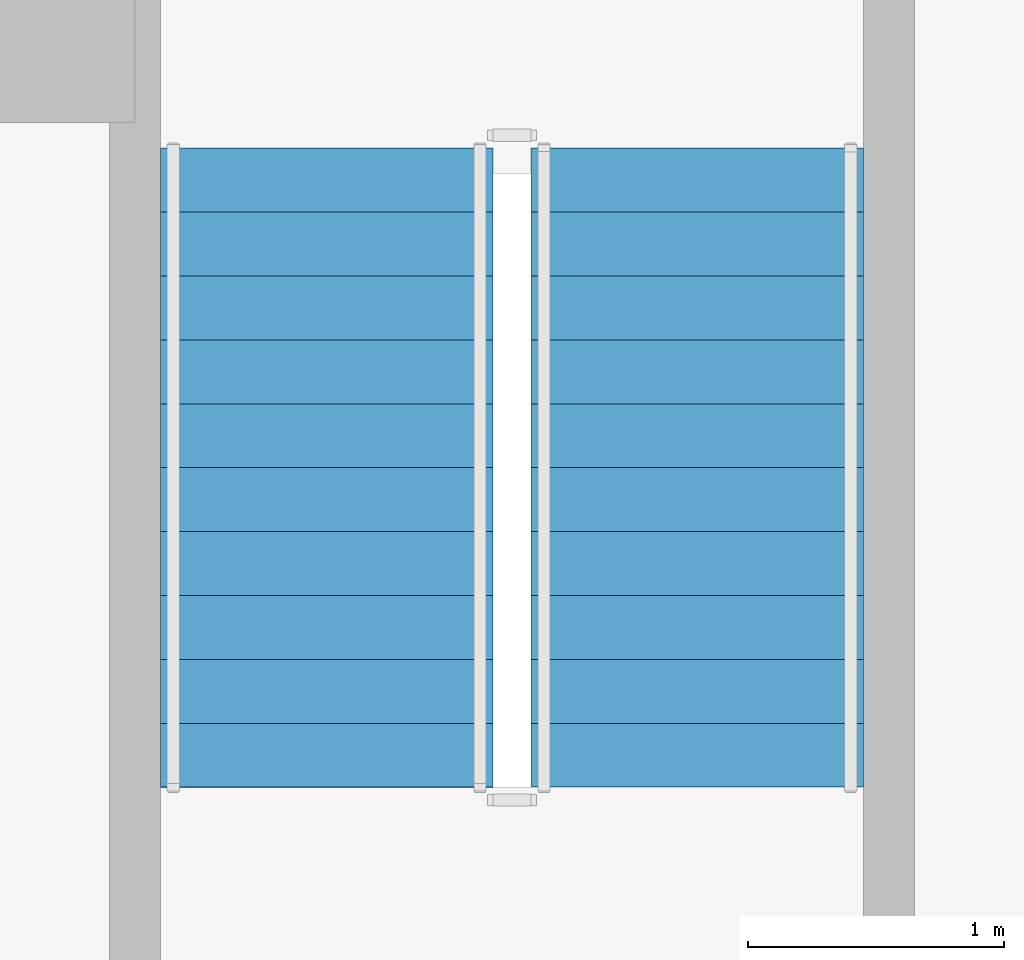
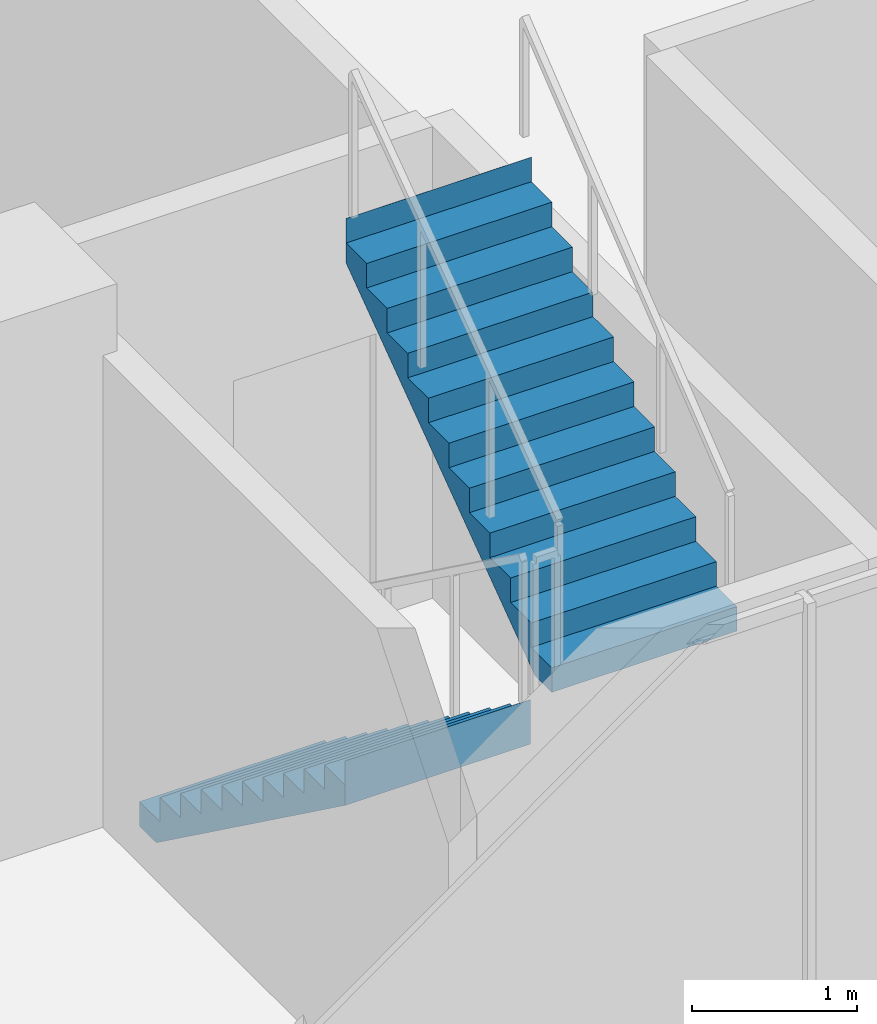
# One storey, part 22 of 45: 2 stair flights, 1 element without a shape of its own.
"""IFC4 building model written with IfcOpenShell, lengths in metres."""

from ifc_helpers import new_model, si_unit, direction, frame, origin, place, context, subcontext, project, spatial, triangles, material, type_object, element, aggregate, save


model = new_model("IFC4")

# Units and contexts
model_context = context("Model", 3, precision=1e-05, world=origin(), true_north=direction((0.0, 1.0)))
body_context = subcontext(model_context, "Body", "Model", "MODEL_VIEW")
ifc_project = project(units=[si_unit("LENGTHUNIT", "METRE"), si_unit("AREAUNIT", "SQUARE_METRE"), si_unit("VOLUMEUNIT", "CUBIC_METRE"), si_unit("PLANEANGLEUNIT", "RADIAN"), si_unit("MASSUNIT", "GRAM", prefix="KILO")], contexts=[model_context])

# Site, building, storey
site_placement = place(None, origin())
site = spatial("IfcSite", under=ifc_project, at=site_placement, CompositionType="ELEMENT")
building_placement = place(site_placement, origin())
building = spatial("IfcBuilding", under=site, at=building_placement, Name="Beryl Residences", CompositionType="ELEMENT")
storey_placement = place(building_placement, frame((0.0, 0.0, 5.0)))
storey = spatial("IfcBuildingStorey", under=building, at=storey_placement, Name="L01", CompositionType="ELEMENT", Elevation=5.0)

# Stair, stair flights
ifc_material_1 = material(Name="Concrete C40/50", Category="concrete")
stair_type = type_object("IfcStairType", Name="ST1 protected exit stair, half-turn, 1300 mm flights", PredefinedType="HALF_TURN_STAIR", material=ifc_material_1)
stair_placement = place(storey_placement, origin())
stair = element("IfcStair", 1, at=stair_placement, inside=storey, type_object=stair_type, Name="L01 Podium exit stair 4", PredefinedType="HALF_TURN_STAIR")
ifc_material_2 = material(Name="Concrete C40/50", Category="concrete")
stair_flight_type = type_object("IfcStairFlightType", Name="SF1 stair flight 1300 mm", PredefinedType="STRAIGHT", material=ifc_material_2)
stair_flight_1_placement = place(storey_placement, frame((-41.949951171875, -27.60009765625, 0.0), z_axis=(0.0, 0.0, 1.0), x_axis=(0.0, -1.0, 0.0)))
stair_flight_1 = element("IfcStairFlight", 2, at=stair_flight_1_placement, type_object=stair_flight_type, Name="PS-4 flight 1", NumberOfRisers=11, NumberOfTreads=10, PredefinedType="STRAIGHT", RiserHeight=0.181818182, TreadLength=0.25, context=body_context, shape_type="Tessellation", body=[
    triangles([(0.0, -0.64990234375, 0.0), (0.0, -0.324951171875, 0.0), (0.0, 0.0, 0.0), (0.0, 0.324951171875, 0.0), (0.0, 0.64990234375, 0.0), (0.0, -0.64990234375, 0.181884765625), (0.0, -0.324951171875, 0.181884765625), (0.0, 0.0, 0.181884765625), (0.0, 0.324951171875, 0.181884765625), (0.0, 0.64990234375, 0.181884765625), (0.25, -0.64990234375, 0.181884765625), (0.25, -0.324951171875, 0.181884765625), (0.25, 0.0, 0.181884765625), (0.25, 0.324951171875, 0.181884765625), (0.25, 0.64990234375, 0.181884765625), (0.25, -0.64990234375, 0.363525390625), (0.25, -0.324951171875, 0.363525390625), (0.25, 0.0, 0.363525390625), (0.25, 0.324951171875, 0.363525390625), (0.25, 0.64990234375, 0.363525390625), (0.5, -0.64990234375, 0.363525390625), (0.5, -0.324951171875, 0.363525390625), (0.5, 0.0, 0.363525390625), (0.5, 0.324951171875, 0.363525390625), (0.5, 0.64990234375, 0.363525390625), (0.5, -0.64990234375, 0.54541015625), (0.5, -0.324951171875, 0.54541015625), (0.5, 0.0, 0.54541015625), (0.5, 0.324951171875, 0.54541015625), (0.5, 0.64990234375, 0.54541015625), (0.75, -0.64990234375, 0.54541015625), (0.75, -0.324951171875, 0.54541015625), (0.75, 0.0, 0.54541015625), (0.75, 0.324951171875, 0.54541015625), (0.75, 0.64990234375, 0.54541015625), (0.75, -0.64990234375, 0.727294921875), (0.75, -0.324951171875, 0.727294921875), (0.75, 0.0, 0.727294921875), (0.75, 0.324951171875, 0.727294921875), (0.75, 0.64990234375, 0.727294921875), (1.0, -0.64990234375, 0.727294921875), (1.0, -0.324951171875, 0.727294921875), (1.0, 0.0, 0.727294921875), (1.0, 0.324951171875, 0.727294921875), (1.0, 0.64990234375, 0.727294921875), (1.0, -0.64990234375, 0.9091796875), (1.0, -0.324951171875, 0.9091796875), (1.0, 0.0, 0.9091796875), (1.0, 0.324951171875, 0.9091796875), (1.0, 0.64990234375, 0.9091796875), (1.25, -0.64990234375, 0.9091796875), (1.25, -0.324951171875, 0.9091796875), (1.25, 0.0, 0.9091796875), (1.25, 0.324951171875, 0.9091796875), (1.25, 0.64990234375, 0.9091796875), (1.25, -0.64990234375, 1.0908203125), (1.25, -0.324951171875, 1.0908203125), (1.25, 0.0, 1.0908203125), (1.25, 0.324951171875, 1.0908203125), (1.25, 0.64990234375, 1.0908203125), (1.5, -0.64990234375, 1.0908203125), (1.5, -0.324951171875, 1.0908203125), (1.5, 0.0, 1.0908203125), (1.5, 0.324951171875, 1.0908203125), (1.5, 0.64990234375, 1.0908203125), (1.5, -0.64990234375, 1.272705078125), (1.5, -0.324951171875, 1.272705078125), (1.5, 0.0, 1.272705078125), (1.5, 0.324951171875, 1.272705078125), (1.5, 0.64990234375, 1.272705078125), (1.75, -0.64990234375, 1.272705078125), (1.75, -0.324951171875, 1.272705078125), (1.75, 0.0, 1.272705078125), (1.75, 0.324951171875, 1.272705078125), (1.75, 0.64990234375, 1.272705078125), (1.75, -0.64990234375, 1.45458984375), (1.75, -0.324951171875, 1.45458984375), (1.75, 0.0, 1.45458984375), (1.75, 0.324951171875, 1.45458984375), (1.75, 0.64990234375, 1.45458984375), (2.0, -0.64990234375, 1.45458984375), (2.0, -0.324951171875, 1.45458984375), (2.0, 0.0, 1.45458984375), (2.0, 0.324951171875, 1.45458984375), (2.0, 0.64990234375, 1.45458984375), (2.0, -0.64990234375, 1.636474609375), (2.0, -0.324951171875, 1.636474609375), (2.0, 0.0, 1.636474609375), (2.0, 0.324951171875, 1.636474609375), (2.0, 0.64990234375, 1.636474609375), (2.25, -0.64990234375, 1.636474609375), (2.25, -0.324951171875, 1.636474609375), (2.25, 0.0, 1.636474609375), (2.25, 0.324951171875, 1.636474609375), (2.25, 0.64990234375, 1.636474609375), (2.25, -0.64990234375, 1.818115234375), (2.25, -0.324951171875, 1.818115234375), (2.25, 0.0, 1.818115234375), (2.25, 0.324951171875, 1.818115234375), (2.25, 0.64990234375, 1.818115234375), (2.5, -0.64990234375, 1.818115234375), (2.5, -0.324951171875, 1.818115234375), (2.5, 0.0, 1.818115234375), (2.5, 0.324951171875, 1.818115234375), (2.5, 0.64990234375, 1.818115234375), (2.5, -0.64990234375, 2.0), (2.5, -0.324951171875, 2.0), (2.5, 0.0, 2.0), (2.5, 0.324951171875, 2.0), (2.5, 0.64990234375, 2.0), (2.5009765625, -0.64990234375, 2.0), (2.5009765625, -0.324951171875, 2.0), (2.5009765625, 0.0, 2.0), (2.5009765625, 0.324951171875, 2.0), (2.5009765625, 0.64990234375, 2.0), (2.5009765625, -0.64990234375, 1.669677734375), (2.5009765625, -0.324951171875, 1.669677734375), (2.5009765625, 0.0, 1.669677734375), (2.5009765625, 0.324951171875, 1.669677734375), (2.5009765625, 0.64990234375, 1.669677734375), (0.205078125, -0.64990234375, 0.0), (0.205078125, -0.324951171875, 0.0), (0.205078125, 0.0, 0.0), (0.205078125, 0.324951171875, 0.0), (0.205078125, 0.64990234375, 0.0)], [[1, 6, 7], [1, 7, 2], [2, 7, 8], [2, 8, 3], [3, 8, 9], [3, 9, 4], [4, 9, 10], [4, 10, 5], [6, 11, 12], [6, 12, 7], [7, 12, 13], [7, 13, 8], [8, 13, 14], [8, 14, 9], [9, 14, 15], [9, 15, 10], [11, 16, 17], [11, 17, 12], [12, 17, 18], [12, 18, 13], [13, 18, 19], [13, 19, 14], [14, 19, 20], [14, 20, 15], [16, 21, 22], [16, 22, 17], [17, 22, 23], [17, 23, 18], [18, 23, 24], [18, 24, 19], [19, 24, 25], [19, 25, 20], [21, 26, 27], [21, 27, 22], [22, 27, 28], [22, 28, 23], [23, 28, 29], [23, 29, 24], [24, 29, 30], [24, 30, 25], [26, 31, 32], [26, 32, 27], [27, 32, 33], [27, 33, 28], [28, 33, 34], [28, 34, 29], [29, 34, 35], [29, 35, 30], [31, 36, 37], [31, 37, 32], [32, 37, 38], [32, 38, 33], [33, 38, 39], [33, 39, 34], [34, 39, 40], [34, 40, 35], [36, 41, 42], [36, 42, 37], [37, 42, 43], [37, 43, 38], [38, 43, 44], [38, 44, 39], [39, 44, 45], [39, 45, 40], [41, 46, 47], [41, 47, 42], [42, 47, 48], [42, 48, 43], [43, 48, 49], [43, 49, 44], [44, 49, 50], [44, 50, 45], [46, 51, 52], [46, 52, 47], [47, 52, 53], [47, 53, 48], [48, 53, 54], [48, 54, 49], [49, 54, 55], [49, 55, 50], [51, 56, 57], [51, 57, 52], [52, 57, 58], [52, 58, 53], [53, 58, 59], [53, 59, 54], [54, 59, 60], [54, 60, 55], [56, 61, 62], [56, 62, 57], [57, 62, 63], [57, 63, 58], [58, 63, 64], [58, 64, 59], [59, 64, 65], [59, 65, 60], [61, 66, 67], [61, 67, 62], [62, 67, 68], [62, 68, 63], [63, 68, 69], [63, 69, 64], [64, 69, 70], [64, 70, 65], [66, 71, 72], [66, 72, 67], [67, 72, 73], [67, 73, 68], [68, 73, 74], [68, 74, 69], [69, 74, 75], [69, 75, 70], [71, 76, 77], [71, 77, 72], [72, 77, 78], [72, 78, 73], [73, 78, 79], [73, 79, 74], [74, 79, 80], [74, 80, 75], [76, 81, 82], [76, 82, 77], [77, 82, 83], [77, 83, 78], [78, 83, 84], [78, 84, 79], [79, 84, 85], [79, 85, 80], [81, 86, 87], [81, 87, 82], [82, 87, 88], [82, 88, 83], [83, 88, 89], [83, 89, 84], [84, 89, 90], [84, 90, 85], [86, 91, 92], [86, 92, 87], [87, 92, 93], [87, 93, 88], [88, 93, 94], [88, 94, 89], [89, 94, 95], [89, 95, 90], [91, 96, 97], [91, 97, 92], [92, 97, 98], [92, 98, 93], [93, 98, 99], [93, 99, 94], [94, 99, 100], [94, 100, 95], [96, 101, 102], [96, 102, 97], [97, 102, 103], [97, 103, 98], [98, 103, 104], [98, 104, 99], [99, 104, 105], [99, 105, 100], [101, 106, 107], [101, 107, 102], [102, 107, 108], [102, 108, 103], [103, 108, 109], [103, 109, 104], [104, 109, 110], [104, 110, 105], [106, 111, 112], [106, 112, 107], [107, 112, 113], [107, 113, 108], [108, 113, 114], [108, 114, 109], [109, 114, 115], [109, 115, 110], [111, 116, 117], [111, 117, 112], [112, 117, 118], [112, 118, 113], [113, 118, 119], [113, 119, 114], [114, 119, 120], [114, 120, 115], [116, 121, 122], [116, 122, 117], [117, 122, 123], [117, 123, 118], [118, 123, 124], [118, 124, 119], [119, 124, 125], [119, 125, 120], [121, 1, 2], [121, 2, 122], [122, 2, 3], [122, 3, 123], [123, 3, 4], [123, 4, 124], [124, 4, 5], [124, 5, 125], [1, 121, 116], [5, 120, 125], [116, 111, 106], [120, 110, 115], [116, 106, 101], [120, 105, 110], [116, 101, 96], [120, 100, 105], [116, 96, 91], [120, 95, 100], [91, 86, 81], [95, 85, 90], [116, 91, 81], [120, 85, 95], [81, 76, 71], [85, 75, 80], [116, 81, 71], [120, 75, 85], [71, 66, 61], [75, 65, 70], [116, 71, 61], [120, 65, 75], [61, 56, 51], [65, 55, 60], [116, 61, 51], [120, 55, 65], [51, 46, 41], [55, 45, 50], [116, 51, 41], [120, 45, 55], [41, 36, 31], [45, 35, 40], [116, 41, 31], [120, 35, 45], [31, 26, 21], [35, 25, 30], [116, 31, 21], [120, 25, 35], [1, 116, 21], [5, 25, 120], [21, 16, 11], [25, 15, 20], [1, 21, 11], [5, 15, 25], [11, 6, 1], [15, 5, 10]], closed=True),
])
stair_flight_2_placement = place(storey_placement, frame((-40.5, -30.10009765625, 2.0), z_axis=(0.0, 0.0, 1.0), x_axis=(0.0, 1.0, 0.0)))
stair_flight_2 = element("IfcStairFlight", 3, at=stair_flight_2_placement, type_object=stair_flight_type, Name="PS-4 flight 2", NumberOfRisers=11, NumberOfTreads=10, PredefinedType="STRAIGHT", RiserHeight=0.181818182, TreadLength=0.25, context=body_context, shape_type="Tessellation", body=[
    triangles([(0.0, -0.64990234375, 0.0), (0.0, -0.324951171875, 0.0), (0.0, 0.0, 0.0), (0.0, 0.324951171875, 0.0), (0.0, 0.64990234375, 0.0), (0.0, -0.64990234375, 0.181884765625), (0.0, -0.324951171875, 0.181884765625), (0.0, 0.0, 0.181884765625), (0.0, 0.324951171875, 0.181884765625), (0.0, 0.64990234375, 0.181884765625), (0.25, -0.64990234375, 0.181884765625), (0.25, -0.324951171875, 0.181884765625), (0.25, 0.0, 0.181884765625), (0.25, 0.324951171875, 0.181884765625), (0.25, 0.64990234375, 0.181884765625), (0.25, -0.64990234375, 0.363525390625), (0.25, -0.324951171875, 0.363525390625), (0.25, 0.0, 0.363525390625), (0.25, 0.324951171875, 0.363525390625), (0.25, 0.64990234375, 0.363525390625), (0.5, -0.64990234375, 0.363525390625), (0.5, -0.324951171875, 0.363525390625), (0.5, 0.0, 0.363525390625), (0.5, 0.324951171875, 0.363525390625), (0.5, 0.64990234375, 0.363525390625), (0.5, -0.64990234375, 0.54541015625), (0.5, -0.324951171875, 0.54541015625), (0.5, 0.0, 0.54541015625), (0.5, 0.324951171875, 0.54541015625), (0.5, 0.64990234375, 0.54541015625), (0.75, -0.64990234375, 0.54541015625), (0.75, -0.324951171875, 0.54541015625), (0.75, 0.0, 0.54541015625), (0.75, 0.324951171875, 0.54541015625), (0.75, 0.64990234375, 0.54541015625), (0.75, -0.64990234375, 0.727294921875), (0.75, -0.324951171875, 0.727294921875), (0.75, 0.0, 0.727294921875), (0.75, 0.324951171875, 0.727294921875), (0.75, 0.64990234375, 0.727294921875), (1.0, -0.64990234375, 0.727294921875), (1.0, -0.324951171875, 0.727294921875), (1.0, 0.0, 0.727294921875), (1.0, 0.324951171875, 0.727294921875), (1.0, 0.64990234375, 0.727294921875), (1.0, -0.64990234375, 0.9091796875), (1.0, -0.324951171875, 0.9091796875), (1.0, 0.0, 0.9091796875), (1.0, 0.324951171875, 0.9091796875), (1.0, 0.64990234375, 0.9091796875), (1.25, -0.64990234375, 0.9091796875), (1.25, -0.324951171875, 0.9091796875), (1.25, 0.0, 0.9091796875), (1.25, 0.324951171875, 0.9091796875), (1.25, 0.64990234375, 0.9091796875), (1.25, -0.64990234375, 1.0908203125), (1.25, -0.324951171875, 1.0908203125), (1.25, 0.0, 1.0908203125), (1.25, 0.324951171875, 1.0908203125), (1.25, 0.64990234375, 1.0908203125), (1.5, -0.64990234375, 1.0908203125), (1.5, -0.324951171875, 1.0908203125), (1.5, 0.0, 1.0908203125), (1.5, 0.324951171875, 1.0908203125), (1.5, 0.64990234375, 1.0908203125), (1.5, -0.64990234375, 1.272705078125), (1.5, -0.324951171875, 1.272705078125), (1.5, 0.0, 1.272705078125), (1.5, 0.324951171875, 1.272705078125), (1.5, 0.64990234375, 1.272705078125), (1.75, -0.64990234375, 1.272705078125), (1.75, -0.324951171875, 1.272705078125), (1.75, 0.0, 1.272705078125), (1.75, 0.324951171875, 1.272705078125), (1.75, 0.64990234375, 1.272705078125), (1.75, -0.64990234375, 1.45458984375), (1.75, -0.324951171875, 1.45458984375), (1.75, 0.0, 1.45458984375), (1.75, 0.324951171875, 1.45458984375), (1.75, 0.64990234375, 1.45458984375), (2.0, -0.64990234375, 1.45458984375), (2.0, -0.324951171875, 1.45458984375), (2.0, 0.0, 1.45458984375), (2.0, 0.324951171875, 1.45458984375), (2.0, 0.64990234375, 1.45458984375), (2.0, -0.64990234375, 1.636474609375), (2.0, -0.324951171875, 1.636474609375), (2.0, 0.0, 1.636474609375), (2.0, 0.324951171875, 1.636474609375), (2.0, 0.64990234375, 1.636474609375), (2.25, -0.64990234375, 1.636474609375), (2.25, -0.324951171875, 1.636474609375), (2.25, 0.0, 1.636474609375), (2.25, 0.324951171875, 1.636474609375), (2.25, 0.64990234375, 1.636474609375), (2.25, -0.64990234375, 1.818115234375), (2.25, -0.324951171875, 1.818115234375), (2.25, 0.0, 1.818115234375), (2.25, 0.324951171875, 1.818115234375), (2.25, 0.64990234375, 1.818115234375), (2.5, -0.64990234375, 1.818115234375), (2.5, -0.324951171875, 1.818115234375), (2.5, 0.0, 1.818115234375), (2.5, 0.324951171875, 1.818115234375), (2.5, 0.64990234375, 1.818115234375), (2.5, -0.64990234375, 2.0), (2.5, -0.324951171875, 2.0), (2.5, 0.0, 2.0), (2.5, 0.324951171875, 2.0), (2.5, 0.64990234375, 2.0), (2.5009765625, -0.64990234375, 2.0), (2.5009765625, -0.324951171875, 2.0), (2.5009765625, 0.0, 2.0), (2.5009765625, 0.324951171875, 2.0), (2.5009765625, 0.64990234375, 2.0), (2.5009765625, -0.64990234375, 1.669677734375), (2.5009765625, -0.324951171875, 1.669677734375), (2.5009765625, 0.0, 1.669677734375), (2.5009765625, 0.324951171875, 1.669677734375), (2.5009765625, 0.64990234375, 1.669677734375), (0.205078125, -0.64990234375, 0.0), (0.205078125, -0.324951171875, 0.0), (0.205078125, 0.0, 0.0), (0.205078125, 0.324951171875, 0.0), (0.205078125, 0.64990234375, 0.0)], [[1, 6, 7], [1, 7, 2], [2, 7, 8], [2, 8, 3], [3, 8, 9], [3, 9, 4], [4, 9, 10], [4, 10, 5], [6, 11, 12], [6, 12, 7], [7, 12, 13], [7, 13, 8], [8, 13, 14], [8, 14, 9], [9, 14, 15], [9, 15, 10], [11, 16, 17], [11, 17, 12], [12, 17, 18], [12, 18, 13], [13, 18, 19], [13, 19, 14], [14, 19, 20], [14, 20, 15], [16, 21, 22], [16, 22, 17], [17, 22, 23], [17, 23, 18], [18, 23, 24], [18, 24, 19], [19, 24, 25], [19, 25, 20], [21, 26, 27], [21, 27, 22], [22, 27, 28], [22, 28, 23], [23, 28, 29], [23, 29, 24], [24, 29, 30], [24, 30, 25], [26, 31, 32], [26, 32, 27], [27, 32, 33], [27, 33, 28], [28, 33, 34], [28, 34, 29], [29, 34, 35], [29, 35, 30], [31, 36, 37], [31, 37, 32], [32, 37, 38], [32, 38, 33], [33, 38, 39], [33, 39, 34], [34, 39, 40], [34, 40, 35], [36, 41, 42], [36, 42, 37], [37, 42, 43], [37, 43, 38], [38, 43, 44], [38, 44, 39], [39, 44, 45], [39, 45, 40], [41, 46, 47], [41, 47, 42], [42, 47, 48], [42, 48, 43], [43, 48, 49], [43, 49, 44], [44, 49, 50], [44, 50, 45], [46, 51, 52], [46, 52, 47], [47, 52, 53], [47, 53, 48], [48, 53, 54], [48, 54, 49], [49, 54, 55], [49, 55, 50], [51, 56, 57], [51, 57, 52], [52, 57, 58], [52, 58, 53], [53, 58, 59], [53, 59, 54], [54, 59, 60], [54, 60, 55], [56, 61, 62], [56, 62, 57], [57, 62, 63], [57, 63, 58], [58, 63, 64], [58, 64, 59], [59, 64, 65], [59, 65, 60], [61, 66, 67], [61, 67, 62], [62, 67, 68], [62, 68, 63], [63, 68, 69], [63, 69, 64], [64, 69, 70], [64, 70, 65], [66, 71, 72], [66, 72, 67], [67, 72, 73], [67, 73, 68], [68, 73, 74], [68, 74, 69], [69, 74, 75], [69, 75, 70], [71, 76, 77], [71, 77, 72], [72, 77, 78], [72, 78, 73], [73, 78, 79], [73, 79, 74], [74, 79, 80], [74, 80, 75], [76, 81, 82], [76, 82, 77], [77, 82, 83], [77, 83, 78], [78, 83, 84], [78, 84, 79], [79, 84, 85], [79, 85, 80], [81, 86, 87], [81, 87, 82], [82, 87, 88], [82, 88, 83], [83, 88, 89], [83, 89, 84], [84, 89, 90], [84, 90, 85], [86, 91, 92], [86, 92, 87], [87, 92, 93], [87, 93, 88], [88, 93, 94], [88, 94, 89], [89, 94, 95], [89, 95, 90], [91, 96, 97], [91, 97, 92], [92, 97, 98], [92, 98, 93], [93, 98, 99], [93, 99, 94], [94, 99, 100], [94, 100, 95], [96, 101, 102], [96, 102, 97], [97, 102, 103], [97, 103, 98], [98, 103, 104], [98, 104, 99], [99, 104, 105], [99, 105, 100], [101, 106, 107], [101, 107, 102], [102, 107, 108], [102, 108, 103], [103, 108, 109], [103, 109, 104], [104, 109, 110], [104, 110, 105], [106, 111, 112], [106, 112, 107], [107, 112, 113], [107, 113, 108], [108, 113, 114], [108, 114, 109], [109, 114, 115], [109, 115, 110], [111, 116, 117], [111, 117, 112], [112, 117, 118], [112, 118, 113], [113, 118, 119], [113, 119, 114], [114, 119, 120], [114, 120, 115], [116, 121, 122], [116, 122, 117], [117, 122, 123], [117, 123, 118], [118, 123, 124], [118, 124, 119], [119, 124, 125], [119, 125, 120], [121, 1, 2], [121, 2, 122], [122, 2, 3], [122, 3, 123], [123, 3, 4], [123, 4, 124], [124, 4, 5], [124, 5, 125], [1, 121, 116], [5, 120, 125], [116, 111, 106], [120, 110, 115], [116, 106, 101], [120, 105, 110], [116, 101, 96], [120, 100, 105], [116, 96, 91], [120, 95, 100], [91, 86, 81], [95, 85, 90], [116, 91, 81], [120, 85, 95], [81, 76, 71], [85, 75, 80], [116, 81, 71], [120, 75, 85], [71, 66, 61], [75, 65, 70], [116, 71, 61], [120, 65, 75], [61, 56, 51], [65, 55, 60], [116, 61, 51], [120, 55, 65], [51, 46, 41], [55, 45, 50], [116, 51, 41], [120, 45, 55], [41, 36, 31], [45, 35, 40], [116, 41, 31], [120, 35, 45], [31, 26, 21], [35, 25, 30], [116, 31, 21], [120, 25, 35], [1, 116, 21], [5, 25, 120], [21, 16, 11], [25, 15, 20], [1, 21, 11], [5, 15, 25], [11, 6, 1], [15, 5, 10]], closed=True),
])
aggregate(stair, [stair_flight_1, stair_flight_2])

save(model, "model.ifc")
